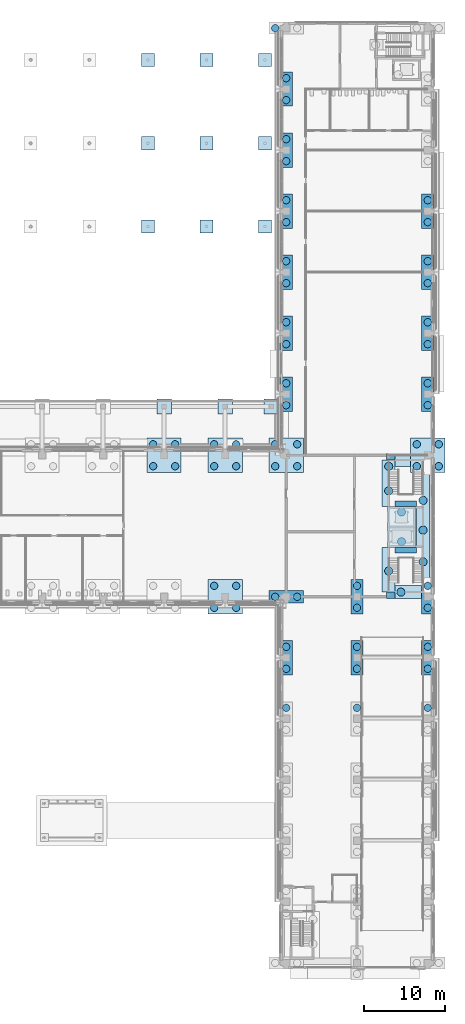
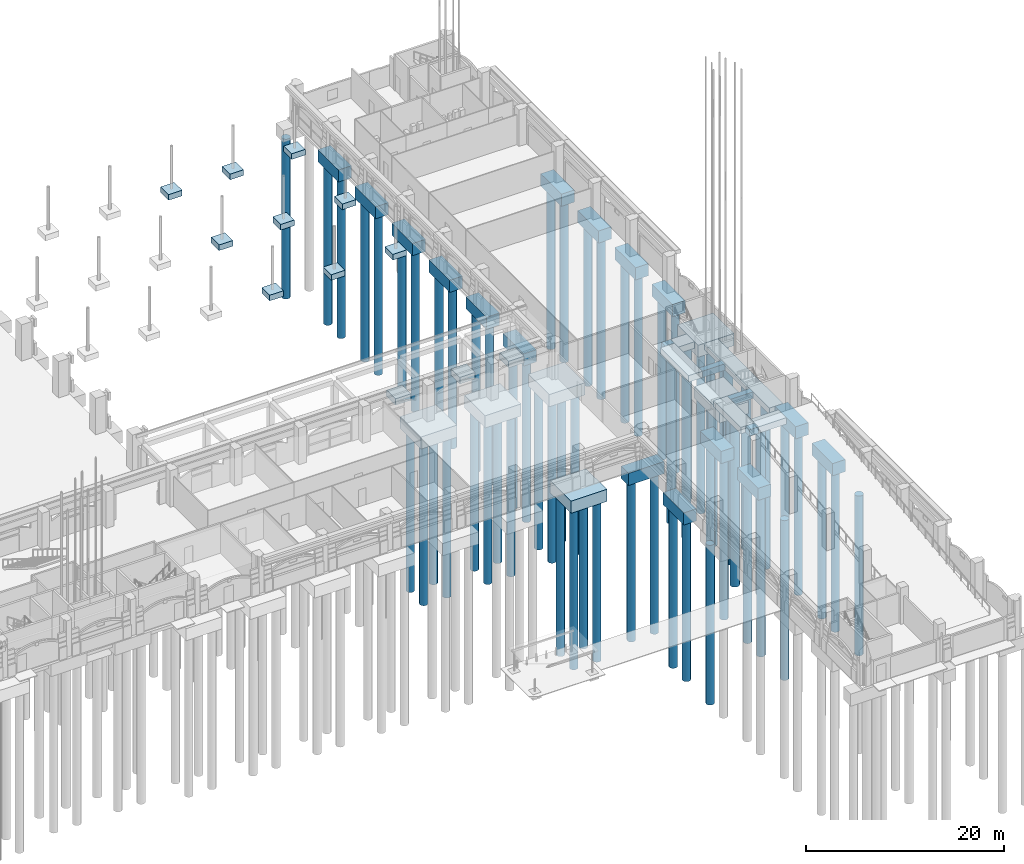
# One storey, part 5 of 99: 65 piles, 43 footings.
"""IFC4 building model written with IfcOpenShell, lengths in metres."""

from ifc_helpers import new_model, si_unit, direction, frame, origin, origin_2d, place, context, subcontext, project, spatial, polyline, circle, outline, extrude, material, layer, layer_set, material_profile, profile_set, type_object, element, save


model = new_model("IFC4")

# Units and contexts
model_context = context("Model", 3, precision=1e-05, world=origin(), true_north=direction((0.0, 1.0)))
body_context = subcontext(model_context, "Body", "Model", "MODEL_VIEW")
ifc_project = project(units=[si_unit("LENGTHUNIT", "METRE"), si_unit("AREAUNIT", "SQUARE_METRE"), si_unit("VOLUMEUNIT", "CUBIC_METRE"), si_unit("PLANEANGLEUNIT", "RADIAN"), si_unit("MASSUNIT", "GRAM", prefix="KILO")], contexts=[model_context])

# Site, building, storey
site_placement = place(None, origin())
site = spatial("IfcSite", under=ifc_project, at=site_placement, CompositionType="ELEMENT")
building_placement = place(site_placement, origin())
building = spatial("IfcBuilding", under=site, at=building_placement, Name="Cour d'Honneur Mobility Palace", CompositionType="ELEMENT")
storey_placement = place(building_placement, origin())
storey = spatial("IfcBuildingStorey", under=building, at=storey_placement, Name="L00", CompositionType="ELEMENT", Elevation=0.0)

# Footings
ifc_material_1 = material(Name="Concrete C50", Category="concrete")
ifc_layer_1 = layer(ifc_material_1, 0.800048828125)
ifc_layer_set_1 = layer_set([ifc_layer_1], Name="Concrete C50")
footing_type_1 = type_object("IfcFootingType", Name="Arcade pad footing 1800x800", PredefinedType="PAD_FOOTING", material=ifc_layer_set_1)
footing_1_placement = place(storey_placement, frame((0.0, 0.0, -1.10009765625)))
element("IfcFooting", 1, at=footing_1_placement, inside=storey, type_object=footing_type_1, Name="Arcade pad footing AF-E5", PredefinedType="PAD_FOOTING", context=body_context, shape_type="SweptSolid", body=[
    extrude(outline(polyline([(129.0, 67.5), (130.800048828125, 67.5), (130.800048828125, 69.300048828125), (129.0, 69.300048828125), (129.0, 67.5)])), origin(), (0.0, 0.0, 1.0), 0.800048828125),
])
footing_2_placement = place(storey_placement, frame((0.0, 0.0, -1.10009765625)))
element("IfcFooting", 2, at=footing_2_placement, inside=storey, type_object=footing_type_1, Name="Arcade pad footing AF-E6", PredefinedType="PAD_FOOTING", context=body_context, shape_type="SweptSolid", body=[
    extrude(outline(polyline([(136.5, 67.5), (138.300048828125, 67.5), (138.300048828125, 69.300048828125), (136.5, 69.300048828125), (136.5, 67.5)])), origin(), (0.0, 0.0, 1.0), 0.800048828125),
])
footing_3_placement = place(storey_placement, frame((0.0, 0.0, -1.10009765625)))
element("IfcFooting", 3, at=footing_3_placement, inside=storey, type_object=footing_type_1, Name="Arcade pad footing AF-E7", PredefinedType="PAD_FOOTING", context=body_context, shape_type="SweptSolid", body=[
    extrude(outline(polyline([(142.199951171875, 67.5), (144.0, 67.5), (144.0, 69.300048828125), (142.199951171875, 69.300048828125), (142.199951171875, 67.5)])), origin(), (0.0, 0.0, 1.0), 0.800048828125),
])

# Piles
ifc_material_2 = material(Name="Concrete C40", Category="concrete")
ifc_material_profile_1 = material_profile(ifc_material_2, circle(Radius=0.5, at=origin_2d()), Name="Bored pile D1000")
ifc_profile_set_1 = profile_set([ifc_material_profile_1], Name="Concrete C40")
pile_type_1 = type_object("IfcPileType", Name="Bored pile D1000", PredefinedType="BORED", material=ifc_profile_set_1)
for number, where, z_axis, x_axis, name in (
    (4, (159.074951171875, 51.77490234375, -3.300048828125), (0.0, 0.0, -1.0), (1.0, 0.0, 0.0), "Bored pile CE.L.1"),
    (5, (159.074951171875, 55.425048828125, -3.300048828125), (0.0, 0.0, -1.0), (1.0, 0.0, 0.0), "Bored pile CE.L.2"),
):
    element("IfcPile", number, at=place(storey_placement, frame(where, z_axis=z_axis, x_axis=x_axis)), inside=storey, type_object=pile_type_1, Name=name, PredefinedType="BORED", context=body_context, shape_type="SweptSolid", body=[
        extrude(circle(Radius=0.5, at=origin_2d()), origin(), (0.0, 0.0, 1.0), 18.199951171875),
    ])
for number, where, z_axis, x_axis, name in (
    (6, (159.0, 45.574951171875, -1.050048828125), (0.0, 0.0, -1.0), (1.0, 0.0, 0.0), "Bored pile S017.1"),
    (7, (157.5, 48.175048828125, -1.050048828125), (0.0, 0.0, -1.0), (1.0, 0.0, 0.0), "Bored pile S019.1"),
    (8, (161.72509765625, 49.300048828125, -1.050048828125), (0.0, 0.0, -1.0), (1.0, 0.0, 0.0), "Bored pile S026.1"),
    (9, (161.72509765625, 53.199951171875, -1.050048828125), (0.0, 0.0, -1.0), (1.0, 0.0, 0.0), "Bored pile S026.2"),
    (10, (161.72509765625, 56.85009765625, -1.050048828125), (0.0, 0.0, -1.0), (1.0, 0.0, 0.0), "Bored pile S026.3"),
    (11, (157.5, 58.02490234375, -1.050048828125), (0.0, 0.0, -1.0), (1.0, 0.0, 0.0), "Bored pile S033.1"),
    (12, (157.5, 61.02490234375, -1.050048828125), (0.0, 0.0, -1.0), (1.0, 0.0, 0.0), "Bored pile S033.2"),
):
    element("IfcPile", number, at=place(storey_placement, frame(where, z_axis=z_axis, x_axis=x_axis)), inside=storey, type_object=pile_type_1, Name=name, PredefinedType="BORED", context=body_context, shape_type="SweptSolid", body=[
        extrude(circle(Radius=0.5, at=origin_2d()), origin(), (0.0, 0.0, 1.0), 20.449951171875),
    ])
ifc_material_3 = material(Name="Concrete C40", Category="concrete")
ifc_material_profile_2 = material_profile(ifc_material_3, circle(Radius=0.449951171875, at=origin_2d()), Name="Bored pile D900")
ifc_profile_set_2 = profile_set([ifc_material_profile_2], Name="Concrete C40")
pile_type_2 = type_object("IfcPileType", Name="Bored pile D900", PredefinedType="BORED", material=ifc_profile_set_2)
for number, where, z_axis, x_axis, name in (
    (13, (144.89990234375, 31.35009765625, -1.75), (0.0, 0.0, -1.0), (1.0, 0.0, 0.0), "Bored pile L00.19/E.2"),
    (14, (153.60009765625, 31.35009765625, -1.75), (0.0, 0.0, -1.0), (1.0, 0.0, 0.0), "Bored pile L00.19A/E.2"),
    (15, (162.300048828125, 31.35009765625, -1.75), (0.0, 0.0, -1.0), (1.0, 0.0, 0.0), "Bored pile L00.20/E.2"),
    (16, (144.89990234375, 36.14990234375, -1.75), (0.0, 0.0, -1.0), (1.0, 0.0, 0.0), "Bored pile L00.19/F.1"),
    (17, (144.89990234375, 38.85009765625, -1.75), (0.0, 0.0, -1.0), (1.0, 0.0, 0.0), "Bored pile L00.19/F.2"),
    (18, (153.60009765625, 36.14990234375, -1.75), (0.0, 0.0, -1.0), (1.0, 0.0, 0.0), "Bored pile L00.19A/F.1"),
    (19, (153.60009765625, 38.85009765625, -1.75), (0.0, 0.0, -1.0), (1.0, 0.0, 0.0), "Bored pile L00.19A/F.2"),
    (20, (162.300048828125, 36.14990234375, -1.75), (0.0, 0.0, -1.0), (1.0, 0.0, 0.0), "Bored pile L00.20/F.1"),
    (21, (162.300048828125, 38.85009765625, -1.75), (0.0, 0.0, -1.0), (1.0, 0.0, 0.0), "Bored pile L00.20/F.2"),
    (22, (136.050048828125, 43.64990234375, -1.75), (0.0, 0.0, -1.0), (1.0, 0.0, 0.0), "Bored pile L00.18/G.1"),
    (23, (138.75, 43.64990234375, -1.75), (0.0, 0.0, -1.0), (1.0, 0.0, 0.0), "Bored pile L00.18/G.2"),
    (24, (136.050048828125, 46.35009765625, -1.75), (0.0, 0.0, -1.0), (1.0, 0.0, 0.0), "Bored pile L00.18/G.3"),
    (25, (138.75, 46.35009765625, -1.75), (0.0, 0.0, -1.0), (1.0, 0.0, 0.0), "Bored pile L00.18/G.4"),
    (26, (143.550048828125, 45.0, -1.75), (0.0, 0.0, -1.0), (1.0, 0.0, 0.0), "Bored pile L00.19/G.1"),
    (27, (146.25, 45.0, -1.75), (0.0, 0.0, -1.0), (1.0, 0.0, 0.0), "Bored pile L00.19/G.2"),
    (28, (153.60009765625, 43.64990234375, -1.75), (0.0, 0.0, -1.0), (1.0, 0.0, 0.0), "Bored pile L00.19A/G.1"),
    (29, (153.60009765625, 46.35009765625, -1.75), (0.0, 0.0, -1.0), (1.0, 0.0, 0.0), "Bored pile L00.19A/G.2"),
    (30, (162.300048828125, 43.64990234375, -1.75), (0.0, 0.0, -1.0), (1.0, 0.0, 0.0), "Bored pile L00.20/G.1"),
    (31, (162.300048828125, 46.35009765625, -1.75), (0.0, 0.0, -1.0), (1.0, 0.0, 0.0), "Bored pile L00.20/G.2"),
    (32, (128.550048828125, 61.050048828125, -1.75), (0.0, 0.0, -1.0), (1.0, 0.0, 0.0), "Bored pile L00.17/H.1"),
    (33, (131.25, 61.050048828125, -1.75), (0.0, 0.0, -1.0), (1.0, 0.0, 0.0), "Bored pile L00.17/H.2"),
    (34, (128.550048828125, 63.75, -1.75), (0.0, 0.0, -1.0), (1.0, 0.0, 0.0), "Bored pile L00.17/H.3"),
    (35, (131.25, 63.75, -1.75), (0.0, 0.0, -1.0), (1.0, 0.0, 0.0), "Bored pile L00.17/H.4"),
    (36, (136.050048828125, 61.050048828125, -1.75), (0.0, 0.0, -1.0), (1.0, 0.0, 0.0), "Bored pile L00.18/H.1"),
    (37, (138.75, 61.050048828125, -1.75), (0.0, 0.0, -1.0), (1.0, 0.0, 0.0), "Bored pile L00.18/H.2"),
    (38, (136.050048828125, 63.75, -1.75), (0.0, 0.0, -1.0), (1.0, 0.0, 0.0), "Bored pile L00.18/H.3"),
    (39, (138.75, 63.75, -1.75), (0.0, 0.0, -1.0), (1.0, 0.0, 0.0), "Bored pile L00.18/H.4"),
    (40, (143.550048828125, 61.050048828125, -1.75), (0.0, 0.0, -1.0), (1.0, 0.0, 0.0), "Bored pile L00.19/H.1"),
    (41, (146.25, 61.050048828125, -1.75), (0.0, 0.0, -1.0), (1.0, 0.0, 0.0), "Bored pile L00.19/H.2"),
    (42, (143.550048828125, 63.75, -1.75), (0.0, 0.0, -1.0), (1.0, 0.0, 0.0), "Bored pile L00.19/H.3"),
    (43, (146.25, 63.75, -1.75), (0.0, 0.0, -1.0), (1.0, 0.0, 0.0), "Bored pile L00.19/H.4"),
    (44, (160.949951171875, 61.050048828125, -1.75), (0.0, 0.0, -1.0), (1.0, 0.0, 0.0), "Bored pile L00.20/H.1"),
    (45, (163.64990234375, 61.050048828125, -1.75), (0.0, 0.0, -1.0), (1.0, 0.0, 0.0), "Bored pile L00.20/H.2"),
    (46, (160.949951171875, 63.75, -1.75), (0.0, 0.0, -1.0), (1.0, 0.0, 0.0), "Bored pile L00.20/H.3"),
    (47, (163.64990234375, 63.75, -1.75), (0.0, 0.0, -1.0), (1.0, 0.0, 0.0), "Bored pile L00.20/H.4"),
    (48, (144.89990234375, 68.550048828125, -1.75), (0.0, 0.0, -1.0), (1.0, 0.0, 0.0), "Bored pile L00.19/J.1"),
    (49, (144.89990234375, 71.25, -1.75), (0.0, 0.0, -1.0), (1.0, 0.0, 0.0), "Bored pile L00.19/J.2"),
    (50, (162.300048828125, 68.550048828125, -1.75), (0.0, 0.0, -1.0), (1.0, 0.0, 0.0), "Bored pile L00.20/J.1"),
    (51, (162.300048828125, 71.25, -1.75), (0.0, 0.0, -1.0), (1.0, 0.0, 0.0), "Bored pile L00.20/J.2"),
    (52, (144.89990234375, 76.050048828125, -1.75), (0.0, 0.0, -1.0), (1.0, 0.0, 0.0), "Bored pile L00.19/K.1"),
    (53, (144.89990234375, 78.75, -1.75), (0.0, 0.0, -1.0), (1.0, 0.0, 0.0), "Bored pile L00.19/K.2"),
    (54, (162.300048828125, 76.050048828125, -1.75), (0.0, 0.0, -1.0), (1.0, 0.0, 0.0), "Bored pile L00.20/K.1"),
    (55, (162.300048828125, 78.75, -1.75), (0.0, 0.0, -1.0), (1.0, 0.0, 0.0), "Bored pile L00.20/K.2"),
    (56, (144.89990234375, 83.550048828125, -1.75), (0.0, 0.0, -1.0), (1.0, 0.0, 0.0), "Bored pile L00.19/L.1"),
    (57, (144.89990234375, 86.25, -1.75), (0.0, 0.0, -1.0), (1.0, 0.0, 0.0), "Bored pile L00.19/L.2"),
    (58, (162.300048828125, 83.550048828125, -1.75), (0.0, 0.0, -1.0), (1.0, 0.0, 0.0), "Bored pile L00.20/L.1"),
    (59, (162.300048828125, 86.25, -1.75), (0.0, 0.0, -1.0), (1.0, 0.0, 0.0), "Bored pile L00.20/L.2"),
    (60, (144.89990234375, 91.050048828125, -1.75), (0.0, 0.0, -1.0), (1.0, 0.0, 0.0), "Bored pile L00.19/M.1"),
    (61, (144.89990234375, 93.75, -1.75), (0.0, 0.0, -1.0), (1.0, 0.0, 0.0), "Bored pile L00.19/M.2"),
    (62, (162.300048828125, 91.050048828125, -1.75), (0.0, 0.0, -1.0), (1.0, 0.0, 0.0), "Bored pile L00.20/M.1"),
    (63, (162.300048828125, 93.75, -1.75), (0.0, 0.0, -1.0), (1.0, 0.0, 0.0), "Bored pile L00.20/M.2"),
    (64, (144.89990234375, 98.550048828125, -1.75), (0.0, 0.0, -1.0), (1.0, 0.0, 0.0), "Bored pile L00.19/N.1"),
    (65, (144.89990234375, 101.25, -1.75), (0.0, 0.0, -1.0), (1.0, 0.0, 0.0), "Bored pile L00.19/N.2"),
    (66, (144.89990234375, 106.050048828125, -1.75), (0.0, 0.0, -1.0), (1.0, 0.0, 0.0), "Bored pile L00.19/P.1"),
    (67, (144.89990234375, 108.75, -1.75), (0.0, 0.0, -1.0), (1.0, 0.0, 0.0), "Bored pile L00.19/P.2"),
    (68, (143.550048828125, 114.89990234375, -1.75), (0.0, 0.0, -1.0), (1.0, 0.0, 0.0), "Bored pile L00.19/Q.1"),
):
    element("IfcPile", number, at=place(storey_placement, frame(where, z_axis=z_axis, x_axis=x_axis)), inside=storey, type_object=pile_type_2, Name=name, PredefinedType="BORED", context=body_context, shape_type="SweptSolid", body=[
        extrude(circle(Radius=0.449951171875, at=origin_2d()), origin(), (0.0, 0.0, 1.0), 19.75),
    ])

# Footings
ifc_material_4 = material(Name="Concrete C40", Category="concrete")
ifc_layer_2 = layer(ifc_material_4, 0.699951171875)
ifc_layer_set_2 = layer_set([ifc_layer_2], Name="Concrete C40")
footing_type_2 = type_object("IfcFootingType", Name="Canopy pad footing 1600x700", PredefinedType="PAD_FOOTING", material=ifc_layer_set_2)
footing_4_placement = place(storey_placement, frame((0.0, 0.0, -1.0)))
element("IfcFooting", 69, at=footing_4_placement, inside=storey, type_object=footing_type_2, Name="Canopy pad footing FCF-E1.4", PredefinedType="PAD_FOOTING", context=body_context, shape_type="SweptSolid", body=[
    extrude(outline(polyline([(127.10009765625, 89.699951171875), (128.699951171875, 89.699951171875), (128.699951171875, 91.300048828125), (127.10009765625, 91.300048828125), (127.10009765625, 89.699951171875)])), origin(), (0.0, 0.0, 1.0), 0.699951171875),
])
footing_5_placement = place(storey_placement, frame((0.0, 0.0, -1.0)))
element("IfcFooting", 70, at=footing_5_placement, inside=storey, type_object=footing_type_2, Name="Canopy pad footing FCF-E1.5", PredefinedType="PAD_FOOTING", context=body_context, shape_type="SweptSolid", body=[
    extrude(outline(polyline([(134.300048828125, 89.699951171875), (135.89990234375, 89.699951171875), (135.89990234375, 91.300048828125), (134.300048828125, 91.300048828125), (134.300048828125, 89.699951171875)])), origin(), (0.0, 0.0, 1.0), 0.699951171875),
])
footing_6_placement = place(storey_placement, frame((0.0, 0.0, -1.0)))
element("IfcFooting", 71, at=footing_6_placement, inside=storey, type_object=footing_type_2, Name="Canopy pad footing FCF-E1.6", PredefinedType="PAD_FOOTING", context=body_context, shape_type="SweptSolid", body=[
    extrude(outline(polyline([(141.5, 89.699951171875), (143.10009765625, 89.699951171875), (143.10009765625, 91.300048828125), (141.5, 91.300048828125), (141.5, 89.699951171875)])), origin(), (0.0, 0.0, 1.0), 0.699951171875),
])
footing_7_placement = place(storey_placement, frame((0.0, 0.0, -1.0)))
element("IfcFooting", 72, at=footing_7_placement, inside=storey, type_object=footing_type_2, Name="Canopy pad footing FCF-E2.4", PredefinedType="PAD_FOOTING", context=body_context, shape_type="SweptSolid", body=[
    extrude(outline(polyline([(127.10009765625, 99.949951171875), (128.699951171875, 99.949951171875), (128.699951171875, 101.550048828125), (127.10009765625, 101.550048828125), (127.10009765625, 99.949951171875)])), origin(), (0.0, 0.0, 1.0), 0.699951171875),
])
footing_8_placement = place(storey_placement, frame((0.0, 0.0, -1.0)))
element("IfcFooting", 73, at=footing_8_placement, inside=storey, type_object=footing_type_2, Name="Canopy pad footing FCF-E2.5", PredefinedType="PAD_FOOTING", context=body_context, shape_type="SweptSolid", body=[
    extrude(outline(polyline([(134.300048828125, 99.949951171875), (135.89990234375, 99.949951171875), (135.89990234375, 101.550048828125), (134.300048828125, 101.550048828125), (134.300048828125, 99.949951171875)])), origin(), (0.0, 0.0, 1.0), 0.699951171875),
])
footing_9_placement = place(storey_placement, frame((0.0, 0.0, -1.0)))
element("IfcFooting", 74, at=footing_9_placement, inside=storey, type_object=footing_type_2, Name="Canopy pad footing FCF-E2.6", PredefinedType="PAD_FOOTING", context=body_context, shape_type="SweptSolid", body=[
    extrude(outline(polyline([(141.5, 99.949951171875), (143.10009765625, 99.949951171875), (143.10009765625, 101.550048828125), (141.5, 101.550048828125), (141.5, 99.949951171875)])), origin(), (0.0, 0.0, 1.0), 0.699951171875),
])
footing_10_placement = place(storey_placement, frame((0.0, 0.0, -1.0)))
element("IfcFooting", 75, at=footing_10_placement, inside=storey, type_object=footing_type_2, Name="Canopy pad footing FCF-E3.4", PredefinedType="PAD_FOOTING", context=body_context, shape_type="SweptSolid", body=[
    extrude(outline(polyline([(127.10009765625, 110.199951171875), (128.699951171875, 110.199951171875), (128.699951171875, 111.800048828125), (127.10009765625, 111.800048828125), (127.10009765625, 110.199951171875)])), origin(), (0.0, 0.0, 1.0), 0.699951171875),
])
footing_11_placement = place(storey_placement, frame((0.0, 0.0, -1.0)))
element("IfcFooting", 76, at=footing_11_placement, inside=storey, type_object=footing_type_2, Name="Canopy pad footing FCF-E3.5", PredefinedType="PAD_FOOTING", context=body_context, shape_type="SweptSolid", body=[
    extrude(outline(polyline([(134.300048828125, 110.199951171875), (135.89990234375, 110.199951171875), (135.89990234375, 111.800048828125), (134.300048828125, 111.800048828125), (134.300048828125, 110.199951171875)])), origin(), (0.0, 0.0, 1.0), 0.699951171875),
])
footing_12_placement = place(storey_placement, frame((0.0, 0.0, -1.0)))
element("IfcFooting", 77, at=footing_12_placement, inside=storey, type_object=footing_type_2, Name="Canopy pad footing FCF-E3.6", PredefinedType="PAD_FOOTING", context=body_context, shape_type="SweptSolid", body=[
    extrude(outline(polyline([(141.5, 110.199951171875), (143.10009765625, 110.199951171875), (143.10009765625, 111.800048828125), (141.5, 111.800048828125), (141.5, 110.199951171875)])), origin(), (0.0, 0.0, 1.0), 0.699951171875),
])
ifc_material_5 = material(Name="Concrete C40", Category="concrete")
ifc_layer_3 = layer(ifc_material_5, 1.5)
ifc_layer_set_3 = layer_set([ifc_layer_3], Name="Concrete C40")
footing_type_3 = type_object("IfcFootingType", Name="Pile cap PC2 4200x1500", PredefinedType="PILE_CAP", material=ifc_layer_set_3)
footing_13_placement = place(storey_placement, frame((0.0, 0.0, -1.75)))
element("IfcFooting", 78, at=footing_13_placement, inside=storey, type_object=footing_type_3, Name="Pile cap PC2-19/F", PredefinedType="PILE_CAP", context=body_context, shape_type="SweptSolid", body=[
    extrude(outline(polyline([(144.14990234375, 35.39990234375), (145.64990234375, 35.39990234375), (145.64990234375, 39.60009765625), (144.14990234375, 39.60009765625), (144.14990234375, 35.39990234375)])), origin(), (0.0, 0.0, 1.0), 1.5),
])
footing_14_placement = place(storey_placement, frame((0.0, 0.0, -1.75)))
element("IfcFooting", 79, at=footing_14_placement, inside=storey, type_object=footing_type_3, Name="Pile cap PC2-19A/F", PredefinedType="PILE_CAP", context=body_context, shape_type="SweptSolid", body=[
    extrude(outline(polyline([(152.85009765625, 35.39990234375), (154.35009765625, 35.39990234375), (154.35009765625, 39.60009765625), (152.85009765625, 39.60009765625), (152.85009765625, 35.39990234375)])), origin(), (0.0, 0.0, 1.0), 1.5),
])
footing_15_placement = place(storey_placement, frame((0.0, 0.0, -1.75)))
element("IfcFooting", 80, at=footing_15_placement, inside=storey, type_object=footing_type_3, Name="Pile cap PC2-20/F", PredefinedType="PILE_CAP", context=body_context, shape_type="SweptSolid", body=[
    extrude(outline(polyline([(161.550048828125, 35.39990234375), (163.050048828125, 35.39990234375), (163.050048828125, 39.60009765625), (161.550048828125, 39.60009765625), (161.550048828125, 35.39990234375)])), origin(), (0.0, 0.0, 1.0), 1.5),
])
footing_16_placement = place(storey_placement, frame((0.0, 0.0, -1.75)))
element("IfcFooting", 81, at=footing_16_placement, inside=storey, type_object=footing_type_3, Name="Pile cap PC2-19/G", PredefinedType="PILE_CAP", context=body_context, shape_type="SweptSolid", body=[
    extrude(outline(polyline([(142.800048828125, 44.25), (147.0, 44.25), (147.0, 45.75), (142.800048828125, 45.75), (142.800048828125, 44.25)])), origin(), (0.0, 0.0, 1.0), 1.5),
])
footing_17_placement = place(storey_placement, frame((0.0, 0.0, -1.75)))
element("IfcFooting", 82, at=footing_17_placement, inside=storey, type_object=footing_type_3, Name="Pile cap PC2-19A/G", PredefinedType="PILE_CAP", context=body_context, shape_type="SweptSolid", body=[
    extrude(outline(polyline([(152.85009765625, 42.89990234375), (154.35009765625, 42.89990234375), (154.35009765625, 47.10009765625), (152.85009765625, 47.10009765625), (152.85009765625, 42.89990234375)])), origin(), (0.0, 0.0, 1.0), 1.5),
])
footing_18_placement = place(storey_placement, frame((0.0, 0.0, -1.75)))
element("IfcFooting", 83, at=footing_18_placement, inside=storey, type_object=footing_type_3, Name="Pile cap PC2-20/G", PredefinedType="PILE_CAP", context=body_context, shape_type="SweptSolid", body=[
    extrude(outline(polyline([(161.550048828125, 42.89990234375), (163.050048828125, 42.89990234375), (163.050048828125, 47.10009765625), (161.550048828125, 47.10009765625), (161.550048828125, 42.89990234375)])), origin(), (0.0, 0.0, 1.0), 1.5),
])
footing_19_placement = place(storey_placement, frame((0.0, 0.0, -1.75)))
element("IfcFooting", 84, at=footing_19_placement, inside=storey, type_object=footing_type_3, Name="Pile cap PC2-19/J", PredefinedType="PILE_CAP", context=body_context, shape_type="SweptSolid", body=[
    extrude(outline(polyline([(144.14990234375, 67.800048828125), (145.64990234375, 67.800048828125), (145.64990234375, 72.0), (144.14990234375, 72.0), (144.14990234375, 67.800048828125)])), origin(), (0.0, 0.0, 1.0), 1.5),
])
footing_20_placement = place(storey_placement, frame((0.0, 0.0, -1.75)))
element("IfcFooting", 85, at=footing_20_placement, inside=storey, type_object=footing_type_3, Name="Pile cap PC2-20/J", PredefinedType="PILE_CAP", context=body_context, shape_type="SweptSolid", body=[
    extrude(outline(polyline([(161.550048828125, 67.800048828125), (163.050048828125, 67.800048828125), (163.050048828125, 72.0), (161.550048828125, 72.0), (161.550048828125, 67.800048828125)])), origin(), (0.0, 0.0, 1.0), 1.5),
])
footing_21_placement = place(storey_placement, frame((0.0, 0.0, -1.75)))
element("IfcFooting", 86, at=footing_21_placement, inside=storey, type_object=footing_type_3, Name="Pile cap PC2-19/K", PredefinedType="PILE_CAP", context=body_context, shape_type="SweptSolid", body=[
    extrude(outline(polyline([(144.14990234375, 75.300048828125), (145.64990234375, 75.300048828125), (145.64990234375, 79.5), (144.14990234375, 79.5), (144.14990234375, 75.300048828125)])), origin(), (0.0, 0.0, 1.0), 1.5),
])
footing_22_placement = place(storey_placement, frame((0.0, 0.0, -1.75)))
element("IfcFooting", 87, at=footing_22_placement, inside=storey, type_object=footing_type_3, Name="Pile cap PC2-20/K", PredefinedType="PILE_CAP", context=body_context, shape_type="SweptSolid", body=[
    extrude(outline(polyline([(161.550048828125, 75.300048828125), (163.050048828125, 75.300048828125), (163.050048828125, 79.5), (161.550048828125, 79.5), (161.550048828125, 75.300048828125)])), origin(), (0.0, 0.0, 1.0), 1.5),
])
footing_23_placement = place(storey_placement, frame((0.0, 0.0, -1.75)))
element("IfcFooting", 88, at=footing_23_placement, inside=storey, type_object=footing_type_3, Name="Pile cap PC2-19/L", PredefinedType="PILE_CAP", context=body_context, shape_type="SweptSolid", body=[
    extrude(outline(polyline([(144.14990234375, 82.800048828125), (145.64990234375, 82.800048828125), (145.64990234375, 87.0), (144.14990234375, 87.0), (144.14990234375, 82.800048828125)])), origin(), (0.0, 0.0, 1.0), 1.5),
])
footing_24_placement = place(storey_placement, frame((0.0, 0.0, -1.75)))
element("IfcFooting", 89, at=footing_24_placement, inside=storey, type_object=footing_type_3, Name="Pile cap PC2-20/L", PredefinedType="PILE_CAP", context=body_context, shape_type="SweptSolid", body=[
    extrude(outline(polyline([(161.550048828125, 82.800048828125), (163.050048828125, 82.800048828125), (163.050048828125, 87.0), (161.550048828125, 87.0), (161.550048828125, 82.800048828125)])), origin(), (0.0, 0.0, 1.0), 1.5),
])
footing_25_placement = place(storey_placement, frame((0.0, 0.0, -1.75)))
element("IfcFooting", 90, at=footing_25_placement, inside=storey, type_object=footing_type_3, Name="Pile cap PC2-19/M", PredefinedType="PILE_CAP", context=body_context, shape_type="SweptSolid", body=[
    extrude(outline(polyline([(144.14990234375, 90.300048828125), (145.64990234375, 90.300048828125), (145.64990234375, 94.5), (144.14990234375, 94.5), (144.14990234375, 90.300048828125)])), origin(), (0.0, 0.0, 1.0), 1.5),
])
footing_26_placement = place(storey_placement, frame((0.0, 0.0, -1.75)))
element("IfcFooting", 91, at=footing_26_placement, inside=storey, type_object=footing_type_3, Name="Pile cap PC2-20/M", PredefinedType="PILE_CAP", context=body_context, shape_type="SweptSolid", body=[
    extrude(outline(polyline([(161.550048828125, 90.300048828125), (163.050048828125, 90.300048828125), (163.050048828125, 94.5), (161.550048828125, 94.5), (161.550048828125, 90.300048828125)])), origin(), (0.0, 0.0, 1.0), 1.5),
])
footing_27_placement = place(storey_placement, frame((0.0, 0.0, -1.75)))
element("IfcFooting", 92, at=footing_27_placement, inside=storey, type_object=footing_type_3, Name="Pile cap PC2-19/N", PredefinedType="PILE_CAP", context=body_context, shape_type="SweptSolid", body=[
    extrude(outline(polyline([(144.14990234375, 97.800048828125), (145.64990234375, 97.800048828125), (145.64990234375, 102.0), (144.14990234375, 102.0), (144.14990234375, 97.800048828125)])), origin(), (0.0, 0.0, 1.0), 1.5),
])
footing_28_placement = place(storey_placement, frame((0.0, 0.0, -1.75)))
element("IfcFooting", 93, at=footing_28_placement, inside=storey, type_object=footing_type_3, Name="Pile cap PC2-19/P", PredefinedType="PILE_CAP", context=body_context, shape_type="SweptSolid", body=[
    extrude(outline(polyline([(144.14990234375, 105.300048828125), (145.64990234375, 105.300048828125), (145.64990234375, 109.5), (144.14990234375, 109.5), (144.14990234375, 105.300048828125)])), origin(), (0.0, 0.0, 1.0), 1.5),
])
ifc_material_6 = material(Name="Concrete C40", Category="concrete")
ifc_layer_4 = layer(ifc_material_6, 1.5)
ifc_layer_set_4 = layer_set([ifc_layer_4], Name="Concrete C40")
footing_type_4 = type_object("IfcFootingType", Name="Pile cap PC4 4200x4200", PredefinedType="PILE_CAP", material=ifc_layer_set_4)
footing_29_placement = place(storey_placement, frame((0.0, 0.0, -1.75)))
element("IfcFooting", 94, at=footing_29_placement, inside=storey, type_object=footing_type_4, Name="Pile cap PC4-18/G", PredefinedType="PILE_CAP", context=body_context, shape_type="SweptSolid", body=[
    extrude(outline(polyline([(135.300048828125, 42.89990234375), (139.5, 42.89990234375), (139.5, 47.10009765625), (135.300048828125, 47.10009765625), (135.300048828125, 42.89990234375)])), origin(), (0.0, 0.0, 1.0), 1.5),
])
footing_30_placement = place(storey_placement, frame((0.0, 0.0, -1.75)))
element("IfcFooting", 95, at=footing_30_placement, inside=storey, type_object=footing_type_4, Name="Pile cap PC4-17/H", PredefinedType="PILE_CAP", context=body_context, shape_type="SweptSolid", body=[
    extrude(outline(polyline([(127.800048828125, 60.300048828125), (132.0, 60.300048828125), (132.0, 64.5), (127.800048828125, 64.5), (127.800048828125, 60.300048828125)])), origin(), (0.0, 0.0, 1.0), 1.5),
])
footing_31_placement = place(storey_placement, frame((0.0, 0.0, -1.75)))
element("IfcFooting", 96, at=footing_31_placement, inside=storey, type_object=footing_type_4, Name="Pile cap PC4-18/H", PredefinedType="PILE_CAP", context=body_context, shape_type="SweptSolid", body=[
    extrude(outline(polyline([(135.300048828125, 60.300048828125), (139.5, 60.300048828125), (139.5, 64.5), (135.300048828125, 64.5), (135.300048828125, 60.300048828125)])), origin(), (0.0, 0.0, 1.0), 1.5),
])
footing_32_placement = place(storey_placement, frame((0.0, 0.0, -1.75)))
element("IfcFooting", 97, at=footing_32_placement, inside=storey, type_object=footing_type_4, Name="Pile cap PC4-19/H", PredefinedType="PILE_CAP", context=body_context, shape_type="SweptSolid", body=[
    extrude(outline(polyline([(142.800048828125, 60.300048828125), (147.0, 60.300048828125), (147.0, 64.5), (142.800048828125, 64.5), (142.800048828125, 60.300048828125)])), origin(), (0.0, 0.0, 1.0), 1.5),
])
footing_33_placement = place(storey_placement, frame((0.0, 0.0, -1.75)))
element("IfcFooting", 98, at=footing_33_placement, inside=storey, type_object=footing_type_4, Name="Pile cap PC4-20/H", PredefinedType="PILE_CAP", context=body_context, shape_type="SweptSolid", body=[
    extrude(outline(polyline([(160.199951171875, 60.300048828125), (164.39990234375, 60.300048828125), (164.39990234375, 64.5), (160.199951171875, 64.5), (160.199951171875, 60.300048828125)])), origin(), (0.0, 0.0, 1.0), 1.5),
])
ifc_material_7 = material(Name="Concrete C40", Category="concrete")
ifc_layer_5 = layer(ifc_material_7, 1.5)
ifc_layer_set_5 = layer_set([ifc_layer_5], Name="Concrete C40")
footing_type_5 = type_object("IfcFootingType", Name="Pit cap 3400x5050", PredefinedType="PILE_CAP", material=ifc_layer_set_5)
footing_34_placement = place(storey_placement, frame((0.0, 0.0, -3.300048828125)))
element("IfcFooting", 99, at=footing_34_placement, inside=storey, type_object=footing_type_5, Name="Pile cap PCL-CE.L", PredefinedType="PILE_CAP", context=body_context, shape_type="SweptSolid", body=[
    extrude(outline(polyline([(157.375, 51.074951171875), (160.77490234375, 51.074951171875), (160.77490234375, 56.125), (157.375, 56.125), (157.375, 51.074951171875)])), origin(), (0.0, 0.0, 1.0), 1.5),
])
ifc_material_8 = material(Name="Concrete C40", Category="concrete")
ifc_layer_6 = layer(ifc_material_8, 0.800048828125)
ifc_layer_set_6 = layer_set([ifc_layer_6], Name="Concrete C40")
footing_type_6 = type_object("IfcFootingType", Name="Strip footing 1600x800", PredefinedType="STRIP_FOOTING", material=ifc_layer_set_6)
footing_35_placement = place(storey_placement, frame((0.0, 0.0, -1.050048828125)))
element("IfcFooting", 100, at=footing_35_placement, inside=storey, type_object=footing_type_6, Name="Strip footing SF-017", PredefinedType="STRIP_FOOTING", context=body_context, shape_type="SweptSolid", body=[
    extrude(outline(polyline([(158.300048828125, 44.77490234375), (161.550048828125, 44.77490234375), (161.550048828125, 46.375), (158.300048828125, 46.375), (158.300048828125, 44.77490234375)])), origin(), (0.0, 0.0, 1.0), 0.800048828125),
])
footing_36_placement = place(storey_placement, frame((0.0, 0.0, -1.050048828125)))
element("IfcFooting", 101, at=footing_36_placement, inside=storey, type_object=footing_type_6, Name="Strip footing SF-019", PredefinedType="STRIP_FOOTING", context=body_context, shape_type="SweptSolid", body=[
    extrude(outline(polyline([(156.699951171875, 45.574951171875), (158.300048828125, 45.574951171875), (158.300048828125, 51.074951171875), (156.699951171875, 51.074951171875), (156.699951171875, 45.574951171875)])), origin(), (0.0, 0.0, 1.0), 0.800048828125),
])
footing_37_placement = place(storey_placement, frame((0.0, 0.0, -1.050048828125)))
element("IfcFooting", 102, at=footing_37_placement, inside=storey, type_object=footing_type_6, Name="Strip footing SF-026", PredefinedType="STRIP_FOOTING", context=body_context, shape_type="SweptSolid", body=[
    extrude(outline(polyline([(160.925048828125, 47.10009765625), (162.52490234375, 47.10009765625), (162.52490234375, 60.300048828125), (160.925048828125, 60.300048828125), (160.925048828125, 47.10009765625)])), origin(), (0.0, 0.0, 1.0), 0.800048828125),
])
footing_38_placement = place(storey_placement, frame((0.0, 0.0, -1.050048828125)))
element("IfcFooting", 103, at=footing_38_placement, inside=storey, type_object=footing_type_6, Name="Strip footing SF-033", PredefinedType="STRIP_FOOTING", context=body_context, shape_type="SweptSolid", body=[
    extrude(outline(polyline([(156.699951171875, 56.125), (158.300048828125, 56.125), (158.300048828125, 61.824951171875), (156.699951171875, 61.824951171875), (156.699951171875, 56.125)])), origin(), (0.0, 0.0, 1.0), 0.800048828125),
])
footing_39_placement = place(storey_placement, frame((0.0, 0.0, -1.050048828125)))
element("IfcFooting", 104, at=footing_39_placement, inside=storey, type_object=footing_type_6, Name="Strip footing SF-036", PredefinedType="STRIP_FOOTING", context=body_context, shape_type="SweptSolid", body=[
    extrude(outline(polyline([(158.300048828125, 61.02490234375), (160.199951171875, 61.02490234375), (160.199951171875, 62.625), (158.300048828125, 62.625), (158.300048828125, 61.02490234375)])), origin(), (0.0, 0.0, 1.0), 0.800048828125),
])
ifc_material_9 = material(Name="Concrete C40", Category="concrete")
ifc_layer_7 = layer(ifc_material_9, 0.800048828125)
ifc_layer_set_7 = layer_set([ifc_layer_7], Name="Concrete C40")
footing_type_7 = type_object("IfcFootingType", Name="Strip footing 675x800", PredefinedType="STRIP_FOOTING", material=ifc_layer_set_7)
footing_40_placement = place(storey_placement, frame((0.0, 0.0, -1.050048828125)))
element("IfcFooting", 105, at=footing_40_placement, inside=storey, type_object=footing_type_7, Name="Strip footing SF-030", PredefinedType="STRIP_FOOTING", context=body_context, shape_type="SweptSolid", body=[
    extrude(outline(polyline([(158.300048828125, 50.39990234375), (160.925048828125, 50.39990234375), (160.925048828125, 51.074951171875), (158.300048828125, 51.074951171875), (158.300048828125, 50.39990234375)])), origin(), (0.0, 0.0, 1.0), 0.800048828125),
])
footing_41_placement = place(storey_placement, frame((0.0, 0.0, -1.050048828125)))
element("IfcFooting", 106, at=footing_41_placement, inside=storey, type_object=footing_type_7, Name="Strip footing SF-034", PredefinedType="STRIP_FOOTING", context=body_context, shape_type="SweptSolid", body=[
    extrude(outline(polyline([(158.300048828125, 56.125), (160.925048828125, 56.125), (160.925048828125, 56.800048828125), (158.300048828125, 56.800048828125), (158.300048828125, 56.125)])), origin(), (0.0, 0.0, 1.0), 0.800048828125),
])
ifc_material_10 = material(Name="Concrete C40", Category="concrete")
ifc_layer_8 = layer(ifc_material_10, 0.800048828125)
ifc_layer_set_8 = layer_set([ifc_layer_8], Name="Concrete C40")
footing_type_8 = type_object("IfcFootingType", Name="Strip footing 800x800", PredefinedType="STRIP_FOOTING", material=ifc_layer_set_8)
footing_42_placement = place(storey_placement, frame((0.0, 0.0, -1.050048828125)))
element("IfcFooting", 107, at=footing_42_placement, inside=storey, type_object=footing_type_8, Name="Strip footing SF-016", PredefinedType="STRIP_FOOTING", context=body_context, shape_type="SweptSolid", body=[
    extrude(outline(polyline([(157.25, 44.77490234375), (158.300048828125, 44.77490234375), (158.300048828125, 45.574951171875), (157.25, 45.574951171875), (157.25, 44.77490234375)])), origin(), (0.0, 0.0, 1.0), 0.800048828125),
])
footing_43_placement = place(storey_placement, frame((0.0, 0.0, -1.050048828125)))
element("IfcFooting", 108, at=footing_43_placement, inside=storey, type_object=footing_type_8, Name="Strip footing SF-038", PredefinedType="STRIP_FOOTING", context=body_context, shape_type="SweptSolid", body=[
    extrude(outline(polyline([(157.25, 61.824951171875), (158.300048828125, 61.824951171875), (158.300048828125, 62.625), (157.25, 62.625), (157.25, 61.824951171875)])), origin(), (0.0, 0.0, 1.0), 0.800048828125),
])

save(model, "model.ifc")
